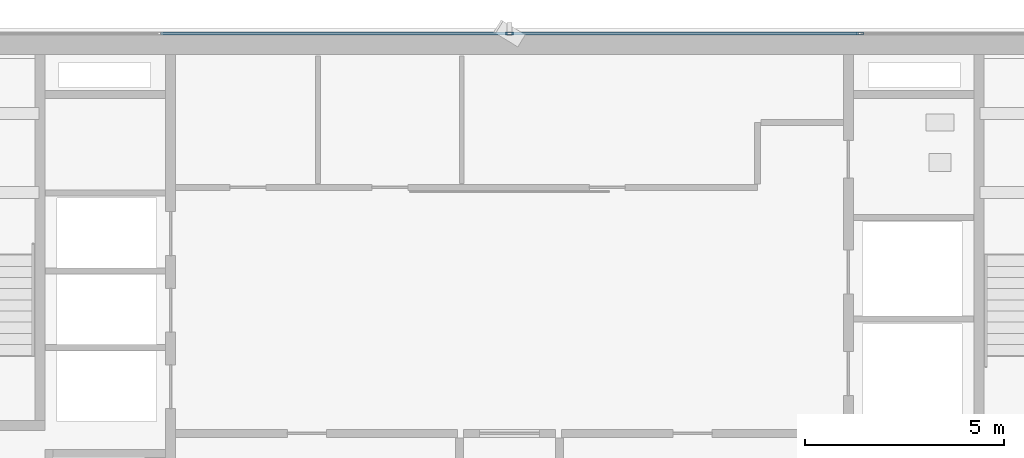
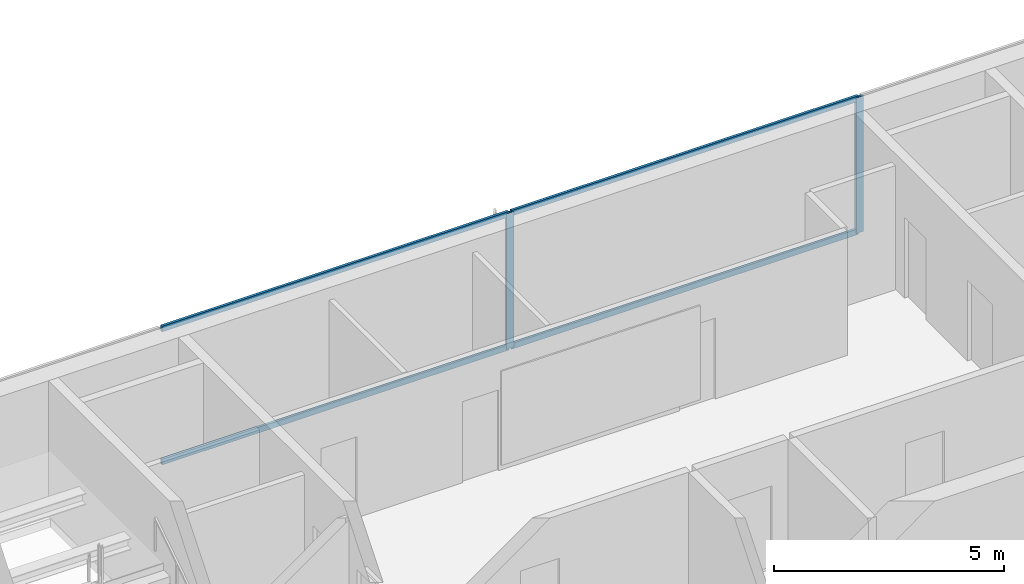
# One storey, part 12 of 21: 6 members, 1 element without a shape of its own.
"""IFC4 building model written with IfcOpenShell, lengths in metres."""

from ifc_helpers import new_model, si_unit, direction, frame, origin, origin_2d, place, context, subcontext, project, spatial, hollow_rectangle, extrude, source, transform, mapped, material, layer, layer_set, material_profile, profile_set, type_object, element, aggregate, save


model = new_model("IFC4")

# Units and contexts
model_context = context("Model", 3, precision=1e-05, world=origin(), true_north=direction((0.0, 1.0)))
body_context = subcontext(model_context, "Body", "Model", "MODEL_VIEW")
ifc_project = project(units=[si_unit("LENGTHUNIT", "METRE"), si_unit("AREAUNIT", "SQUARE_METRE"), si_unit("VOLUMEUNIT", "CUBIC_METRE"), si_unit("PLANEANGLEUNIT", "RADIAN"), si_unit("MASSUNIT", "GRAM", prefix="KILO")], contexts=[model_context])

# Site, building, storey
site_placement = place(None, origin())
site = spatial("IfcSite", under=ifc_project, at=site_placement, CompositionType="ELEMENT")
building_placement = place(site_placement, origin())
building = spatial("IfcBuilding", under=site, at=building_placement, Name="Sumidabori Civic Tower", CompositionType="ELEMENT")
storey_placement = place(building_placement, frame((0.0, 0.0, 290.0)))
storey = spatial("IfcBuildingStorey", under=building, at=storey_placement, Name="L76", CompositionType="ELEMENT", Elevation=290.0)

# Curtain wall, members
ifc_material = material(Name="Anodised Bronze Aluminium AW-6063-T6", Category="aluminium")
ifc_layer = layer(ifc_material, 0.179931640625, Name="Anodised Bronze Aluminium AW-6063-T6")
ifc_layer_set = layer_set([ifc_layer], Name="Anodised Bronze Aluminium AW-6063-T6")
curtain_wall_type = type_object("IfcCurtainWallType", Name="CW-SYS-6", PredefinedType="NOTDEFINED", material=ifc_layer_set)
curtain_wall_placement = place(storey_placement, origin())
curtain_wall = element("IfcCurtainWall", 1, at=curtain_wall_placement, inside=storey, type_object=curtain_wall_type, Name="Curtain Wall CW:L76:R07", PredefinedType="NOTDEFINED")
ifc_material_profile_1 = material_profile(ifc_material, hollow_rectangle(XDim=0.06494140625, YDim=0.14990234375, WallThickness=0.0048828125, at=origin_2d()), Name="ALU TRANSOM 150x65")
ifc_profile_set_1 = profile_set([ifc_material_profile_1], Name="Anodised Bronze Aluminium AW-6063-T6")
member_type_1 = type_object("IfcMemberType", Name="CW-TRN-150", PredefinedType="USERDEFINED", material=ifc_profile_set_1)
shared_shape_1 = source(origin(), body_context, "Body", "SweptSolid", [
    extrude(hollow_rectangle(XDim=0.06494140625, YDim=0.14990234375, WallThickness=0.0048828125, at=origin_2d()), origin(), (0.0, 0.0, 1.0), 8.715087890625),
])
member_1_placement = place(storey_placement, frame((8.75, 24.080078125, 0.032470703125), z_axis=(-1.0, 0.0, 0.0), x_axis=(0.0, -1.0, 0.0)))
member_1 = element("IfcMember", 2, at=member_1_placement, type_object=member_type_1, Name="CW-6 transom 2.1", ObjectType="TRANSOM", PredefinedType="USERDEFINED", context=body_context, shape_type="MappedRepresentation", body=[
    mapped(shared_shape_1, transform((0.0, 0.0, 0.0), x_axis=(1.0, 0.0, 0.0), y_axis=(0.0, 1.0, 0.0), z_axis=(0.0, 0.0, 1.0), scale=1.0)),
])
member_2_placement = place(storey_placement, frame((8.75, 24.080078125, 3.5673828125), z_axis=(-1.0, 0.0, 0.0), x_axis=(0.0, -1.0, 0.0)))
member_2 = element("IfcMember", 3, at=member_2_placement, type_object=member_type_1, Name="CW-6 transom 2.2", ObjectType="TRANSOM", PredefinedType="USERDEFINED", context=body_context, shape_type="MappedRepresentation", body=[
    mapped(shared_shape_1, transform((0.0, 0.0, 0.0), x_axis=(1.0, 0.0, 0.0), y_axis=(0.0, 1.0, 0.0), z_axis=(0.0, 0.0, 1.0), scale=1.0)),
])
member_3_placement = place(storey_placement, frame((-0.034912109375, 24.080078125, 0.032470703125), z_axis=(-1.0, 0.0, 0.0), x_axis=(0.0, -1.0, 0.0)))
member_3 = element("IfcMember", 4, at=member_3_placement, type_object=member_type_1, Name="CW-6 transom 3.1", ObjectType="TRANSOM", PredefinedType="USERDEFINED", context=body_context, shape_type="MappedRepresentation", body=[
    mapped(shared_shape_1, transform((0.0, 0.0, 0.0), x_axis=(1.0, 0.0, 0.0), y_axis=(0.0, 1.0, 0.0), z_axis=(0.0, 0.0, 1.0), scale=1.0)),
])
member_4_placement = place(storey_placement, frame((-0.034912109375, 24.080078125, 3.5673828125), z_axis=(-1.0, 0.0, 0.0), x_axis=(0.0, -1.0, 0.0)))
member_4 = element("IfcMember", 5, at=member_4_placement, type_object=member_type_1, Name="CW-6 transom 3.2", ObjectType="TRANSOM", PredefinedType="USERDEFINED", context=body_context, shape_type="MappedRepresentation", body=[
    mapped(shared_shape_1, transform((0.0, 0.0, 0.0), x_axis=(1.0, 0.0, 0.0), y_axis=(0.0, 1.0, 0.0), z_axis=(0.0, 0.0, 1.0), scale=1.0)),
])
ifc_material_profile_2 = material_profile(ifc_material, hollow_rectangle(XDim=0.070068359375, YDim=0.179931640625, WallThickness=0.006103515625, at=origin_2d()), Name="ALU MULLION 180x70")
ifc_profile_set_2 = profile_set([ifc_material_profile_2], Name="Anodised Bronze Aluminium AW-6063-T6")
member_type_2 = type_object("IfcMemberType", Name="CW-MUL-180", PredefinedType="MULLION", material=ifc_profile_set_2)
shared_shape_2 = source(origin(), body_context, "Body", "SweptSolid", [
    extrude(hollow_rectangle(XDim=0.070068359375, YDim=0.179931640625, WallThickness=0.006103515625, at=origin_2d()), origin(), (0.0, 0.0, 1.0), 3.60009765625),
])
member_5_placement = place(storey_placement, frame((8.784912109375, 24.080078125, 0.0), z_axis=(0.0, 0.0, 1.0), x_axis=(0.0, -1.0, 0.0)))
member_5 = element("IfcMember", 6, at=member_5_placement, type_object=member_type_2, Name="CW-6 mullion 2", PredefinedType="MULLION", context=body_context, shape_type="MappedRepresentation", body=[
    mapped(shared_shape_2, transform((0.0, 0.0, 0.0), x_axis=(1.0, 0.0, 0.0), y_axis=(0.0, 1.0, 0.0), z_axis=(0.0, 0.0, 1.0), scale=1.0)),
])
member_6_placement = place(storey_placement, frame((0.0, 24.080078125, 0.0), z_axis=(0.0, 0.0, 1.0), x_axis=(0.0, -1.0, 0.0)))
member_6 = element("IfcMember", 7, at=member_6_placement, type_object=member_type_2, Name="CW-6 mullion 3", PredefinedType="MULLION", context=body_context, shape_type="MappedRepresentation", body=[
    mapped(shared_shape_2, transform((0.0, 0.0, 0.0), x_axis=(1.0, 0.0, 0.0), y_axis=(0.0, 1.0, 0.0), z_axis=(0.0, 0.0, 1.0), scale=1.0)),
])
aggregate(curtain_wall, [member_5, member_6, member_1, member_2, member_3, member_4])

save(model, "model.ifc")
